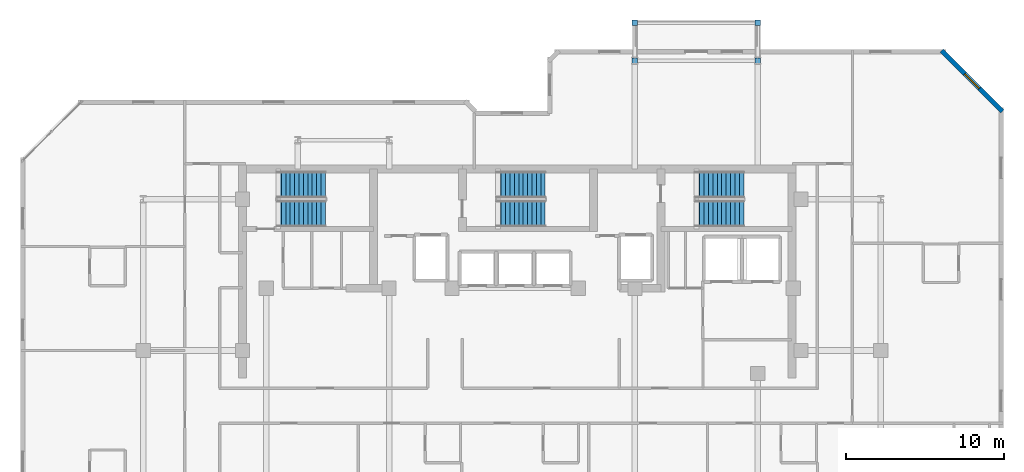
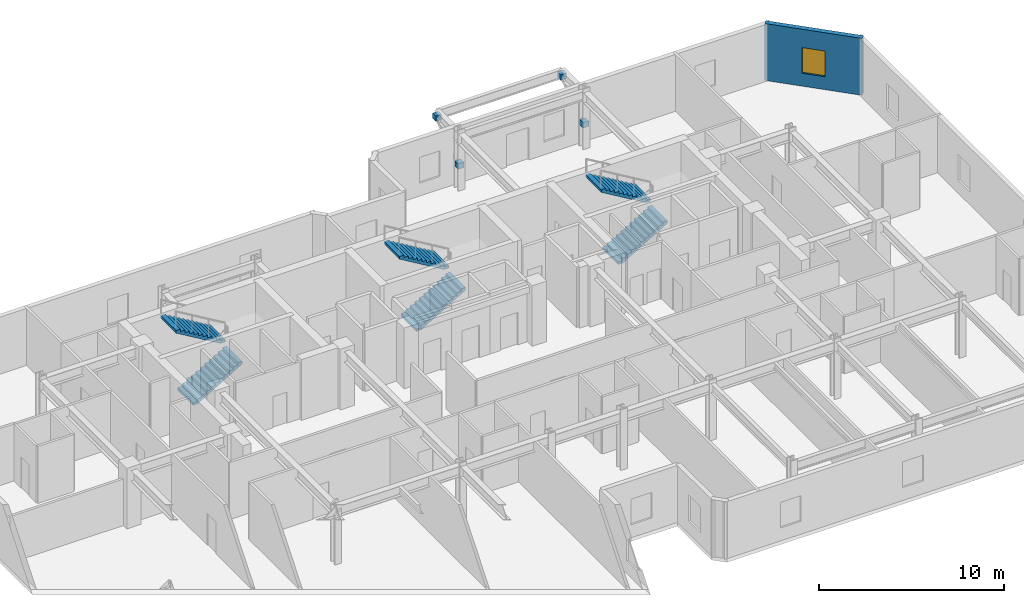
# One storey, part 8 of 9: 6 stair flights, 4 discrete accessories, 1 wall, 1 window, 1 opening, 3 elements without a shape of their own.
"""IFC4 building model written with IfcOpenShell, lengths in metres."""

from ifc_helpers import new_model, si_unit, direction, frame, frame_2d, origin, origin_2d, place, context, subcontext, project, spatial, polyline, rectangle, outline, extrude, material, layer, layer_set, type_object, element, fill, aggregate, save


model = new_model("IFC4")

# Units and contexts
model_context = context("Model", 3, precision=1e-05, world=origin(), true_north=direction((0.0, 1.0)))
body_context = subcontext(model_context, "Body", "Model", "MODEL_VIEW")
ifc_project = project(units=[si_unit("LENGTHUNIT", "METRE"), si_unit("AREAUNIT", "SQUARE_METRE"), si_unit("VOLUMEUNIT", "CUBIC_METRE"), si_unit("PLANEANGLEUNIT", "RADIAN"), si_unit("MASSUNIT", "GRAM", prefix="KILO")], contexts=[model_context])

# Site, building, storey
site_placement = place(None, origin())
site = spatial("IfcSite", under=ifc_project, at=site_placement, CompositionType="ELEMENT")
building_placement = place(site_placement, origin())
building = spatial("IfcBuilding", under=site, at=building_placement, Name="Kestravale Grand Hotel", CompositionType="ELEMENT")
storey_placement = place(building_placement, frame((0.0, 0.0, 257.39990234375)))
storey = spatial("IfcBuildingStorey", under=building, at=storey_placement, Name="L64", CompositionType="ELEMENT", Elevation=257.39990234375)

# Wall, opening, window
ifc_material_1 = material(Name="Precast concrete f'c 45 MPa", Category="concrete")
ifc_layer = layer(ifc_material_1, 0.280029296875)
ifc_layer_set = layer_set([ifc_layer], Name="EW-PREC-280")
wall_type = type_object("IfcWallType", Name="EW-PREC-280", PredefinedType="SOLIDWALL", material=ifc_layer_set)
wall_placement = place(storey_placement, frame((70.12939453125, 43.97265625, 0.0), z_axis=(0.0, 0.0, 1.0), x_axis=(-0.707106781187, 0.707106781187, 0.0)))
wall = element("IfcWall", 1, at=wall_placement, inside=storey, type_object=wall_type, Name="L64 fluted precast facade wall 10", PredefinedType="SOLIDWALL", context=body_context, shape_type="SweptSolid", body=[
    extrude(rectangle(XDim=5.4541015625, YDim=0.280029296875, at=frame_2d((2.72705078125, 0.0))), origin(), (0.0, 0.0, 1.0), 3.760009765625),
])
opening_placement = place(wall_placement, frame((2.076904296875, 0.0, 0.85009765625)))
opening = element("IfcOpeningElement", 2, at=opening_placement, cuts=wall, Name="Opening W-GUEST-1300", PredefinedType="OPENING", context=body_context, shape_type="SweptSolid", body=[
    extrude(rectangle(XDim=1.300048828125, YDim=1.699951171875, at=frame_2d((0.64990234375, 0.85009765625))), frame((0.0, 0.14990234375, 0.0), z_axis=(0.0, -1.0, 0.0), x_axis=(1.0, 0.0, 0.0)), (0.0, 0.0, 1.0), 0.300048828125),
])
ifc_material_2 = material(Name="Insulated low-E double glazing in aluminium frame", Category="aluminium")
window_type = type_object("IfcWindowType", Name="W-GUEST-1300", PartitioningType="SINGLE_PANEL", PredefinedType="WINDOW", material=ifc_material_2)
window_placement = place(opening_placement, origin())
window = element("IfcWindow", 3, at=window_placement, inside=storey, type_object=window_type, Name="L64 exterior window 10.1", OverallHeight=1.699951171875, OverallWidth=1.300048828125, PartitioningType="SINGLE_PANEL", PredefinedType="WINDOW", context=body_context, shape_type="SweptSolid", body=[
    extrude(rectangle(XDim=1.300048828125, YDim=1.699951171875, at=frame_2d((0.64990234375, 0.85009765625))), frame((0.0, 0.030029296875, 0.0), z_axis=(0.0, -1.0, 0.0), x_axis=(1.0, 0.0, 0.0)), (0.0, 0.0, 1.0), 0.06005859375),
])
fill(opening, window)

# Stair, stair flights
ifc_material_3 = material(Name="Concrete f'c 45 MPa", Category="concrete")
stair_type = type_object("IfcStairType", Name="ST-CORE-400", PredefinedType="HALF_TURN_STAIR", material=ifc_material_3)
stair_1_placement = place(storey_placement, origin())
stair_1 = element("IfcStair", 4, at=stair_1_placement, inside=storey, type_object=stair_type, Name="L64 ST-1", PredefinedType="HALF_TURN_STAIR")
ifc_material_4 = material(Name="Concrete f'c 45 MPa", Category="concrete")
stair_flight_type = type_object("IfcStairFlightType", Name="STF-CORE-400", PredefinedType="STRAIGHT", material=ifc_material_4)
stair_flight_1_placement = place(storey_placement, frame((24.080078125, 37.489990234375, 0.0), z_axis=(0.0, 0.0, 1.0), x_axis=(1.0, 0.0, 0.0)))
stair_flight_1 = element("IfcStairFlight", 5, at=stair_flight_1_placement, type_object=stair_flight_type, Name="ST-1 flight 1", NumberOfRisers=12, NumberOfTreads=11, PredefinedType="STRAIGHT", RiserHeight=0.166666667, TreadLength=0.28, context=body_context, shape_type="SweptSolid", body=[
    extrude(outline(polyline([(0.0, 0.0), (0.0, 0.166748046875), (0.280029296875, 0.166748046875), (0.280029296875, 0.333251953125), (0.56005859375, 0.333251953125), (0.56005859375, 0.5), (0.840087890625, 0.5), (0.840087890625, 0.666748046875), (1.1201171875, 0.666748046875), (1.1201171875, 0.833251953125), (1.39990234375, 0.833251953125), (1.39990234375, 1.0), (1.679931640625, 1.0), (1.679931640625, 1.166748046875), (1.9599609375, 1.166748046875), (1.9599609375, 1.333251953125), (2.239990234375, 1.333251953125), (2.239990234375, 1.5), (2.52001953125, 1.5), (2.52001953125, 1.666748046875), (2.800048828125, 1.666748046875), (2.800048828125, 1.833251953125), (3.080078125, 1.833251953125), (3.080078125, 2.0), (3.080078125, 1.658935546875), (0.29296875, 0.0), (0.0, 0.0)])), frame((0.0, 0.83984375, 0.0), z_axis=(0.0, -1.0, 0.0), x_axis=(1.0, 0.0, 0.0)), (0.0, 0.0, 1.0), 1.679931640625),
])
stair_flight_2_placement = place(storey_placement, frame((27.159912109375, 39.320068359375, 2.0), z_axis=(0.0, 0.0, 1.0), x_axis=(-1.0, 0.0, 0.0)))
stair_flight_2 = element("IfcStairFlight", 6, at=stair_flight_2_placement, type_object=stair_flight_type, Name="ST-1 flight 2", NumberOfRisers=12, NumberOfTreads=11, PredefinedType="STRAIGHT", RiserHeight=0.166666667, TreadLength=0.28, context=body_context, shape_type="SweptSolid", body=[
    extrude(outline(polyline([(0.0, 0.0), (0.0, 0.166748046875), (0.280029296875, 0.166748046875), (0.280029296875, 0.333251953125), (0.56005859375, 0.333251953125), (0.56005859375, 0.5), (0.840087890625, 0.5), (0.840087890625, 0.666748046875), (1.1201171875, 0.666748046875), (1.1201171875, 0.833251953125), (1.39990234375, 0.833251953125), (1.39990234375, 1.0), (1.679931640625, 1.0), (1.679931640625, 1.166748046875), (1.9599609375, 1.166748046875), (1.9599609375, 1.333251953125), (2.239990234375, 1.333251953125), (2.239990234375, 1.5), (2.52001953125, 1.5), (2.52001953125, 1.666748046875), (2.800048828125, 1.666748046875), (2.800048828125, 1.833251953125), (3.080078125, 1.833251953125), (3.080078125, 2.0), (3.080078125, 1.658935546875), (0.29296875, 0.0), (0.0, 0.0)])), frame((0.0, 0.83984375, 0.0), z_axis=(0.0, -1.0, 0.0), x_axis=(1.0, 0.0, 0.0)), (0.0, 0.0, 1.0), 1.679931640625),
])
aggregate(stair_1, [stair_flight_1, stair_flight_2])

stair_2_placement = place(storey_placement, origin())
stair_2 = element("IfcStair", 7, at=stair_2_placement, inside=storey, type_object=stair_type, Name="L64 ST-2", PredefinedType="HALF_TURN_STAIR")
stair_flight_3_placement = place(storey_placement, frame((38.030029296875, 37.489990234375, 0.0), z_axis=(0.0, 0.0, 1.0), x_axis=(1.0, 0.0, 0.0)))
stair_flight_3 = element("IfcStairFlight", 8, at=stair_flight_3_placement, type_object=stair_flight_type, Name="ST-2 flight 1", NumberOfRisers=12, NumberOfTreads=11, PredefinedType="STRAIGHT", RiserHeight=0.166666667, TreadLength=0.28, context=body_context, shape_type="SweptSolid", body=[
    extrude(outline(polyline([(0.0, 0.0), (0.0, 0.166748046875), (0.280029296875, 0.166748046875), (0.280029296875, 0.333251953125), (0.56005859375, 0.333251953125), (0.56005859375, 0.5), (0.840087890625, 0.5), (0.840087890625, 0.666748046875), (1.1201171875, 0.666748046875), (1.1201171875, 0.833251953125), (1.39990234375, 0.833251953125), (1.39990234375, 1.0), (1.679931640625, 1.0), (1.679931640625, 1.166748046875), (1.9599609375, 1.166748046875), (1.9599609375, 1.333251953125), (2.239990234375, 1.333251953125), (2.239990234375, 1.5), (2.52001953125, 1.5), (2.52001953125, 1.666748046875), (2.800048828125, 1.666748046875), (2.800048828125, 1.833251953125), (3.080078125, 1.833251953125), (3.080078125, 2.0), (3.080078125, 1.658935546875), (0.29296875, 0.0), (0.0, 0.0)])), frame((0.0, 0.83984375, 0.0), z_axis=(0.0, -1.0, 0.0), x_axis=(1.0, 0.0, 0.0)), (0.0, 0.0, 1.0), 1.679931640625),
])
stair_flight_4_placement = place(storey_placement, frame((41.110107421875, 39.320068359375, 2.0), z_axis=(0.0, 0.0, 1.0), x_axis=(-1.0, 0.0, 0.0)))
stair_flight_4 = element("IfcStairFlight", 9, at=stair_flight_4_placement, type_object=stair_flight_type, Name="ST-2 flight 2", NumberOfRisers=12, NumberOfTreads=11, PredefinedType="STRAIGHT", RiserHeight=0.166666667, TreadLength=0.28, context=body_context, shape_type="SweptSolid", body=[
    extrude(outline(polyline([(0.0, 0.0), (0.0, 0.166748046875), (0.280029296875, 0.166748046875), (0.280029296875, 0.333251953125), (0.56005859375, 0.333251953125), (0.56005859375, 0.5), (0.840087890625, 0.5), (0.840087890625, 0.666748046875), (1.1201171875, 0.666748046875), (1.1201171875, 0.833251953125), (1.39990234375, 0.833251953125), (1.39990234375, 1.0), (1.679931640625, 1.0), (1.679931640625, 1.166748046875), (1.9599609375, 1.166748046875), (1.9599609375, 1.333251953125), (2.239990234375, 1.333251953125), (2.239990234375, 1.5), (2.52001953125, 1.5), (2.52001953125, 1.666748046875), (2.800048828125, 1.666748046875), (2.800048828125, 1.833251953125), (3.080078125, 1.833251953125), (3.080078125, 2.0), (3.080078125, 1.658935546875), (0.29296875, 0.0), (0.0, 0.0)])), frame((0.0, 0.83984375, 0.0), z_axis=(0.0, -1.0, 0.0), x_axis=(1.0, 0.0, 0.0)), (0.0, 0.0, 1.0), 1.679931640625),
])
aggregate(stair_2, [stair_flight_3, stair_flight_4])

stair_3_placement = place(storey_placement, origin())
stair_3 = element("IfcStair", 10, at=stair_3_placement, inside=storey, type_object=stair_type, Name="L64 ST-3", PredefinedType="HALF_TURN_STAIR")
stair_flight_5_placement = place(storey_placement, frame((50.6298828125, 37.489990234375, 0.0), z_axis=(0.0, 0.0, 1.0), x_axis=(1.0, 0.0, 0.0)))
stair_flight_5 = element("IfcStairFlight", 11, at=stair_flight_5_placement, type_object=stair_flight_type, Name="ST-3 flight 1", NumberOfRisers=12, NumberOfTreads=11, PredefinedType="STRAIGHT", RiserHeight=0.166666667, TreadLength=0.28, context=body_context, shape_type="SweptSolid", body=[
    extrude(outline(polyline([(0.0, 0.0), (0.0, 0.166748046875), (0.280029296875, 0.166748046875), (0.280029296875, 0.333251953125), (0.56005859375, 0.333251953125), (0.56005859375, 0.5), (0.840087890625, 0.5), (0.840087890625, 0.666748046875), (1.1201171875, 0.666748046875), (1.1201171875, 0.833251953125), (1.39990234375, 0.833251953125), (1.39990234375, 1.0), (1.679931640625, 1.0), (1.679931640625, 1.166748046875), (1.9599609375, 1.166748046875), (1.9599609375, 1.333251953125), (2.239990234375, 1.333251953125), (2.239990234375, 1.5), (2.52001953125, 1.5), (2.52001953125, 1.666748046875), (2.800048828125, 1.666748046875), (2.800048828125, 1.833251953125), (3.080078125, 1.833251953125), (3.080078125, 2.0), (3.080078125, 1.658935546875), (0.29296875, 0.0), (0.0, 0.0)])), frame((0.0, 0.83984375, 0.0), z_axis=(0.0, -1.0, 0.0), x_axis=(1.0, 0.0, 0.0)), (0.0, 0.0, 1.0), 1.679931640625),
])
stair_flight_6_placement = place(storey_placement, frame((53.7099609375, 39.320068359375, 2.0), z_axis=(0.0, 0.0, 1.0), x_axis=(-1.0, 0.0, 0.0)))
stair_flight_6 = element("IfcStairFlight", 12, at=stair_flight_6_placement, type_object=stair_flight_type, Name="ST-3 flight 2", NumberOfRisers=12, NumberOfTreads=11, PredefinedType="STRAIGHT", RiserHeight=0.166666667, TreadLength=0.28, context=body_context, shape_type="SweptSolid", body=[
    extrude(outline(polyline([(0.0, 0.0), (0.0, 0.166748046875), (0.280029296875, 0.166748046875), (0.280029296875, 0.333251953125), (0.56005859375, 0.333251953125), (0.56005859375, 0.5), (0.840087890625, 0.5), (0.840087890625, 0.666748046875), (1.1201171875, 0.666748046875), (1.1201171875, 0.833251953125), (1.39990234375, 0.833251953125), (1.39990234375, 1.0), (1.679931640625, 1.0), (1.679931640625, 1.166748046875), (1.9599609375, 1.166748046875), (1.9599609375, 1.333251953125), (2.239990234375, 1.333251953125), (2.239990234375, 1.5), (2.52001953125, 1.5), (2.52001953125, 1.666748046875), (2.800048828125, 1.666748046875), (2.800048828125, 1.833251953125), (3.080078125, 1.833251953125), (3.080078125, 2.0), (3.080078125, 1.658935546875), (0.29296875, 0.0), (0.0, 0.0)])), frame((0.0, 0.83984375, 0.0), z_axis=(0.0, -1.0, 0.0), x_axis=(1.0, 0.0, 0.0)), (0.0, 0.0, 1.0), 1.679931640625),
])
aggregate(stair_3, [stair_flight_5, stair_flight_6])

# Discrete accessories
ifc_material_5 = material(Name="Steel ASTM A572 Grade 50 hot-dip galvanised bracket", Category="steel")
discrete_accessory_type = type_object("IfcDiscreteAccessoryType", Name="ACC-BRK-STL", PredefinedType="BRACKET", material=ifc_material_5)
for number, where, z_axis, x_axis, name in (
    (13, (46.800048828125, 47.199951171875, 1.39404296875), (0.0, 0.0, 1.0), (1.0, 0.0, 0.0), "L65 terrace strut column bracket 1"),
    (14, (46.800048828125, 49.60009765625, 3.09423828125), (0.0, 0.0, 1.0), (1.0, 0.0, 0.0), "L65 terrace strut beam bracket 1"),
    (15, (54.60009765625, 47.199951171875, 1.39404296875), (0.0, 0.0, 1.0), (1.0, 0.0, 0.0), "L65 terrace strut column bracket 2"),
    (16, (54.60009765625, 49.60009765625, 3.09423828125), (0.0, 0.0, 1.0), (1.0, 0.0, 0.0), "L65 terrace strut beam bracket 2"),
):
    element("IfcDiscreteAccessory", number, at=place(storey_placement, frame(where, z_axis=z_axis, x_axis=x_axis)), inside=storey, type_object=discrete_accessory_type, Name=name, PredefinedType="BRACKET", context=body_context, shape_type="SweptSolid", body=[
        extrude(rectangle(XDim=0.360107421875, YDim=0.360107421875, at=origin_2d()), origin(), (0.0, 0.0, 1.0), 0.360107421875),
    ])

save(model, "model.ifc")
